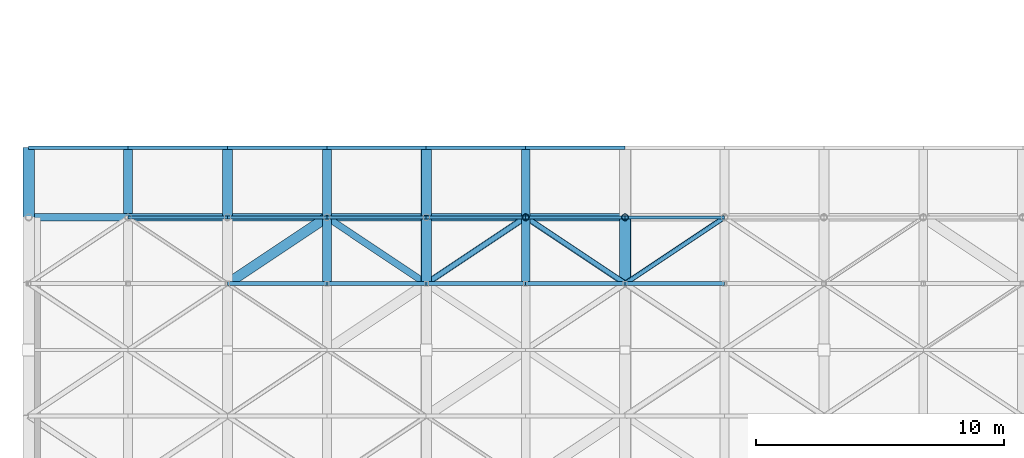
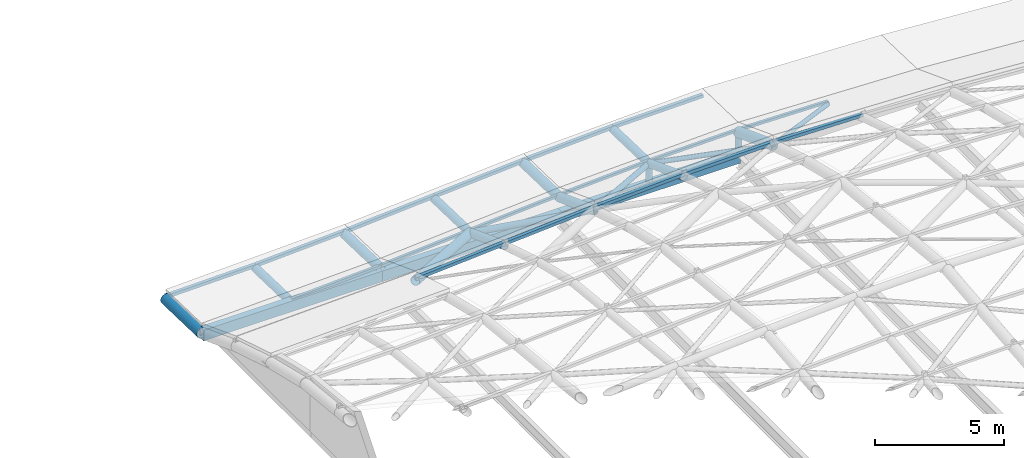
# One storey, part 8 of 20: 24 members, 13 beams.
"""IFC4 building model written with IfcOpenShell, lengths in metres."""

from ifc_helpers import new_model, si_unit, direction, frame, origin, origin_2d, place, context, subcontext, project, spatial, hollow_rectangle, hollow_circle, extrude, material, material_profile, profile_set, type_object, element, save


model = new_model("IFC4")

# Units and contexts
model_context = context("Model", 3, precision=1e-05, world=origin(), true_north=direction((0.0, 1.0)))
body_context = subcontext(model_context, "Body", "Model", "MODEL_VIEW")
ifc_project = project(units=[si_unit("LENGTHUNIT", "METRE"), si_unit("AREAUNIT", "SQUARE_METRE"), si_unit("VOLUMEUNIT", "CUBIC_METRE"), si_unit("PLANEANGLEUNIT", "RADIAN"), si_unit("MASSUNIT", "GRAM", prefix="KILO")], contexts=[model_context])

# Site, building, storey
site_placement = place(None, origin())
site = spatial("IfcSite", under=ifc_project, at=site_placement, CompositionType="ELEMENT")
building_placement = place(site_placement, origin())
building = spatial("IfcBuilding", under=site, at=building_placement, Name="Tenunan Teduh Sports Hall", CompositionType="ELEMENT")
storey_placement = place(building_placement, frame((0.0, 0.0, 23.39990234375)))
storey = spatial("IfcBuildingStorey", under=building, at=storey_placement, Name="RF", CompositionType="ELEMENT", Elevation=23.39990234375)

# Beams
ifc_material_1 = material(Name="Steel S355", Category="steel")
ifc_material_profile_1 = material_profile(ifc_material_1, hollow_circle(Radius=0.177734375, WallThickness=0.012451171875, at=origin_2d()), Name="CHS 355.6x12.5")
ifc_profile_set_1 = profile_set([ifc_material_profile_1], Name="Steel S355")
beam_type_1 = type_object("IfcBeamType", Name="GSB-CHS356", PredefinedType="BEAM", material=ifc_profile_set_1)
beam_1_placement = place(storey_placement, frame((10.0, 46.14990234375, -0.3095703125), z_axis=(0.0, 0.999608075745, -0.027994551361), x_axis=(-1.0, 0.0, 0.0)))
element("IfcBeam", 1, at=beam_1_placement, inside=storey, type_object=beam_type_1, Name="Gridshell Vault Arch BM-GR-04-RF-0294", PredefinedType="BEAM", context=body_context, shape_type="SweptSolid", body=[
    extrude(hollow_circle(Radius=0.177734375, WallThickness=0.012451171875, at=origin_2d()), origin(), (0.0, 0.0, 1.0), 2.651123046875),
])
beam_2_placement = place(storey_placement, frame((18.0, 43.333251953125, 1.1787109375), z_axis=(0.0, 0.935428675248, -0.353515478479), x_axis=(-1.0, 0.0, 0.0)))
element("IfcBeam", 2, at=beam_2_placement, inside=storey, type_object=beam_type_1, Name="Gridshell Vault Arch BM-GR-04-RF-0321", PredefinedType="BEAM", context=body_context, shape_type="SweptSolid", body=[
    extrude(hollow_circle(Radius=0.177734375, WallThickness=0.012451171875, at=origin_2d()), origin(), (0.0, 0.0, 1.0), 2.850830078125),
])
beam_3_placement = place(storey_placement, frame((18.0, 46.0, 0.1708984375), z_axis=(0.0, 0.999610985869, -0.027890445155), x_axis=(-1.0, 0.0, 0.0)))
element("IfcBeam", 3, at=beam_3_placement, inside=storey, type_object=beam_type_1, Name="Gridshell Vault Arch BM-GR-04-RF-0322", PredefinedType="BEAM", context=body_context, shape_type="SweptSolid", body=[
    extrude(hollow_circle(Radius=0.177734375, WallThickness=0.012451171875, at=origin_2d()), origin(), (0.0, 0.0, 1.0), 2.801025390625),
])
beam_4_placement = place(storey_placement, frame((26.0, 43.333251953125, 1.6552734375), z_axis=(0.0, 0.935428675248, -0.353515478479), x_axis=(-1.0, 0.0, 0.0)))
element("IfcBeam", 4, at=beam_4_placement, inside=storey, type_object=beam_type_1, Name="Gridshell Vault Arch BM-GR-04-RF-0349", PredefinedType="BEAM", context=body_context, shape_type="SweptSolid", body=[
    extrude(hollow_circle(Radius=0.177734375, WallThickness=0.012451171875, at=origin_2d()), origin(), (0.0, 0.0, 1.0), 2.850830078125),
])
beam_5_placement = place(storey_placement, frame((26.0, 46.0, 0.6474609375), z_axis=(0.0, 0.999610985869, -0.027890445155), x_axis=(-1.0, 0.0, 0.0)))
element("IfcBeam", 5, at=beam_5_placement, inside=storey, type_object=beam_type_1, Name="Gridshell Vault Arch BM-GR-04-RF-0350", PredefinedType="BEAM", context=body_context, shape_type="SweptSolid", body=[
    extrude(hollow_circle(Radius=0.177734375, WallThickness=0.012451171875, at=origin_2d()), origin(), (0.0, 0.0, 1.0), 2.801025390625),
])
ifc_material_2 = material(Name="Steel S355", Category="steel")
ifc_material_profile_2 = material_profile(ifc_material_2, hollow_circle(Radius=0.203125, WallThickness=0.01611328125, at=origin_2d()), Name="CHS 406.4x16.0")
ifc_profile_set_2 = profile_set([ifc_material_profile_2], Name="Steel S355")
beam_type_2 = type_object("IfcBeamType", Name="GSB-CHS406", PredefinedType="BEAM", material=ifc_profile_set_2)
beam_6_placement = place(storey_placement, frame((14.0, 46.0, -0.1064453125), z_axis=(0.0, 0.999610985869, -0.027890445155), x_axis=(-1.0, 0.0, 0.0)))
element("IfcBeam", 6, at=beam_6_placement, inside=storey, type_object=beam_type_2, Name="Gridshell Vault Arch BM-GA-02-RF-0308", PredefinedType="BEAM", context=body_context, shape_type="SweptSolid", body=[
    extrude(hollow_circle(Radius=0.203125, WallThickness=0.01611328125, at=origin_2d()), origin(), (0.0, 0.0, 1.0), 2.801025390625),
])
beam_7_placement = place(storey_placement, frame((22.0, 43.333251953125, 1.4521484375), z_axis=(0.0, 0.935428675248, -0.353515478479), x_axis=(-1.0, 0.0, 0.0)))
element("IfcBeam", 7, at=beam_7_placement, inside=storey, type_object=beam_type_2, Name="Gridshell Vault Arch BM-GA-02-RF-0335", PredefinedType="BEAM", context=body_context, shape_type="SweptSolid", body=[
    extrude(hollow_circle(Radius=0.203125, WallThickness=0.01611328125, at=origin_2d()), origin(), (0.0, 0.0, 1.0), 2.850830078125),
])
beam_8_placement = place(storey_placement, frame((22.0, 46.0, 0.4443359375), z_axis=(0.0, 0.999610985869, -0.027890445155), x_axis=(-1.0, 0.0, 0.0)))
element("IfcBeam", 8, at=beam_8_placement, inside=storey, type_object=beam_type_2, Name="Gridshell Vault Arch BM-GA-02-RF-0336", PredefinedType="BEAM", context=body_context, shape_type="SweptSolid", body=[
    extrude(hollow_circle(Radius=0.203125, WallThickness=0.01611328125, at=origin_2d()), origin(), (0.0, 0.0, 1.0), 2.801025390625),
])
ifc_material_3 = material(Name="Steel S355", Category="steel")
ifc_material_profile_3 = material_profile(ifc_material_3, hollow_circle(Radius=0.228515625, WallThickness=0.01611328125, at=origin_2d()), Name="CHS 457.0x16.0")
ifc_profile_set_3 = profile_set([ifc_material_profile_3], Name="Steel S355")
beam_type_3 = type_object("IfcBeamType", Name="GSB-CHS457", PredefinedType="BEAM", material=ifc_profile_set_3)
beam_9_placement = place(storey_placement, frame((6.0, 46.0, -0.3798828125), z_axis=(0.0, 0.999610985869, -0.027890445155), x_axis=(-1.0, 0.0, 0.0)))
element("IfcBeam", 9, at=beam_9_placement, inside=storey, type_object=beam_type_3, Name="Gridshell Vault Arch BM-GA-01-RF-0280", PredefinedType="BEAM", context=body_context, shape_type="SweptSolid", body=[
    extrude(hollow_circle(Radius=0.228515625, WallThickness=0.01611328125, at=origin_2d()), origin(), (0.0, 0.0, 1.0), 2.801025390625),
])
beam_10_placement = place(storey_placement, frame((30.0, 43.333251953125, 1.7294921875), z_axis=(0.0, 0.935428675248, -0.353515478479), x_axis=(-1.0, 0.0, 0.0)))
element("IfcBeam", 10, at=beam_10_placement, inside=storey, type_object=beam_type_3, Name="Gridshell Vault Arch BM-GA-01-RF-0363", PredefinedType="BEAM", context=body_context, shape_type="SweptSolid", body=[
    extrude(hollow_circle(Radius=0.228515625, WallThickness=0.01611328125, at=origin_2d()), origin(), (0.0, 0.0, 1.0), 2.850830078125),
])

# Members
ifc_material_4 = material(Name="Steel S355", Category="steel")
ifc_material_profile_4 = material_profile(ifc_material_4, hollow_circle(Radius=0.096923828125, WallThickness=0.008056640625, at=origin_2d()), Name="CHS 193.7x8.0")
ifc_profile_set_4 = profile_set([ifc_material_profile_4], Name="Steel S355")
member_type_1 = type_object("IfcMemberType", Name="MEM-BR-CHS194", PredefinedType="BRACE", material=ifc_profile_set_4)
member_1_placement = place(storey_placement, frame((30.0, 43.333251953125, 1.7294921875), z_axis=(0.811735897602, 0.541173779877, -0.219580901988), x_axis=(-0.554711915519, 0.832042481356, 0.0)))
element("IfcMember", 11, at=member_1_placement, inside=storey, type_object=member_type_1, Name="MEM-GD-03-RF-0698", PredefinedType="BRACE", context=body_context, shape_type="SweptSolid", body=[
    extrude(hollow_circle(Radius=0.096923828125, WallThickness=0.008056640625, at=origin_2d()), origin(), (0.0, 0.0, 1.0), 4.927734375),
])
ifc_material_5 = material(Name="Steel S355", Category="steel")
ifc_material_profile_5 = material_profile(ifc_material_5, hollow_circle(Radius=0.109619140625, WallThickness=0.010009765625, at=origin_2d()), Name="CHS 219.1x10.0")
ifc_profile_set_5 = profile_set([ifc_material_profile_5], Name="Steel S355")
member_type_2 = type_object("IfcMemberType", Name="MEM-BR-CHS219", PredefinedType="BRACE", material=ifc_profile_set_5)
member_2_placement = place(storey_placement, frame((26.0, 46.0, 0.6474609375), z_axis=(0.811735897602, -0.541173779877, 0.219580901988), x_axis=(0.554711915519, 0.832042481356, 0.0)))
element("IfcMember", 12, at=member_2_placement, inside=storey, type_object=member_type_2, Name="MEM-GD-02-RF-0671", PredefinedType="BRACE", context=body_context, shape_type="SweptSolid", body=[
    extrude(hollow_circle(Radius=0.109619140625, WallThickness=0.010009765625, at=origin_2d()), origin(), (0.0, 0.0, 1.0), 4.927734375),
])
ifc_material_6 = material(Name="Steel S355", Category="steel")
ifc_material_profile_6 = material_profile(ifc_material_6, hollow_circle(Radius=0.122314453125, WallThickness=0.010009765625, at=origin_2d()), Name="CHS 244.5x10.0")
ifc_profile_set_6 = profile_set([ifc_material_profile_6], Name="Steel S355")
member_type_3 = type_object("IfcMemberType", Name="MEM-BR-CHS245", PredefinedType="BRACE", material=ifc_profile_set_6)
member_3_placement = place(storey_placement, frame((22.0, 43.333251953125, 1.4521484375), z_axis=(0.820626050019, 0.547100729026, -0.165086881156), x_axis=(-0.554711915519, 0.832042481356, 0.0)))
element("IfcMember", 13, at=member_3_placement, inside=storey, type_object=member_type_3, Name="MEM-GD-01-RF-0644", PredefinedType="BRACE", context=body_context, shape_type="SweptSolid", body=[
    extrude(hollow_circle(Radius=0.122314453125, WallThickness=0.010009765625, at=origin_2d()), origin(), (0.0, 0.0, 1.0), 4.874267578125),
])
ifc_material_7 = material(Name="Steel S355", Category="steel")
ifc_material_profile_7 = material_profile(ifc_material_7, hollow_circle(Radius=0.136474609375, WallThickness=0.010009765625, at=origin_2d()), Name="CHS 273.0x10.0")
ifc_profile_set_7 = profile_set([ifc_material_profile_7], Name="Steel S355")
member_type_4 = type_object("IfcMemberType", Name="MEM-CH-CHS273", PredefinedType="CHORD", material=ifc_profile_set_7)
member_4_placement = place(storey_placement, frame((18.0, 46.0, 0.1708984375), z_axis=(0.803979144991, -0.536002453658, 0.25752456988), x_axis=(0.554711915519, 0.832042481356, 0.0)))
element("IfcMember", 14, at=member_4_placement, inside=storey, type_object=member_type_4, Name="MEM-GC-03-RF-0617", PredefinedType="CHORD", context=body_context, shape_type="SweptSolid", body=[
    extrude(hollow_circle(Radius=0.136474609375, WallThickness=0.010009765625, at=origin_2d()), origin(), (0.0, 0.0, 1.0), 4.975341796875),
])
ifc_material_8 = material(Name="Steel S355", Category="steel")
ifc_material_profile_8 = material_profile(ifc_material_8, hollow_circle(Radius=0.203125, WallThickness=0.012451171875, at=origin_2d()), Name="CHS 406.4x12.5")
ifc_profile_set_8 = profile_set([ifc_material_profile_8], Name="Steel S355")
member_type_5 = type_object("IfcMemberType", Name="MEM-CH-CHS406L", PredefinedType="CHORD", material=ifc_profile_set_8)
member_5_placement = place(storey_placement, frame((14.0, 43.333251953125, 0.9013671875), z_axis=(0.822600824873, 0.548417285772, -0.150221049073), x_axis=(-0.554711915519, 0.832042481356, 0.0)))
element("IfcMember", 15, at=member_5_placement, inside=storey, type_object=member_type_5, Name="MEM-GC-01-RF-0590", PredefinedType="CHORD", context=body_context, shape_type="SweptSolid", body=[
    extrude(hollow_circle(Radius=0.203125, WallThickness=0.012451171875, at=origin_2d()), origin(), (0.0, 0.0, 1.0), 4.862548828125),
])
ifc_material_9 = material(Name="Steel S355", Category="steel")
ifc_material_profile_9 = material_profile(ifc_material_9, hollow_rectangle(XDim=0.1201171875, YDim=0.1201171875, WallThickness=0.00634765625, at=origin_2d()), Name="SHS 120x120x6.3")
ifc_profile_set_9 = profile_set([ifc_material_profile_9], Name="Steel S355")
member_type_6 = type_object("IfcMemberType", Name="MEM-PR-SHS120", PredefinedType="PURLIN", material=ifc_profile_set_9)
member_6_placement = place(storey_placement, frame((10.0, 46.0, -0.185791015625), z_axis=(0.998762049135, 0.0, 0.049743031744), x_axis=(0.0, 1.0, 0.0)))
element("IfcMember", 16, at=member_6_placement, inside=storey, type_object=member_type_6, Name="MEM-PR-02-RF-0550", PredefinedType="PURLIN", context=body_context, shape_type="SweptSolid", body=[
    extrude(hollow_rectangle(XDim=0.1201171875, YDim=0.1201171875, WallThickness=0.00634765625, at=origin_2d()), origin(), (0.0, 0.0, 1.0), 4.0048828125),
])
member_7_placement = place(storey_placement, frame((14.0, 46.0, 0.013427734375), z_axis=(0.99760489623, 0.0, 0.069169870735), x_axis=(0.0, 1.0, 0.0)))
element("IfcMember", 17, at=member_7_placement, inside=storey, type_object=member_type_6, Name="MEM-PR-02-RF-0577", PredefinedType="PURLIN", context=body_context, shape_type="SweptSolid", body=[
    extrude(hollow_rectangle(XDim=0.1201171875, YDim=0.1201171875, WallThickness=0.00634765625, at=origin_2d()), origin(), (0.0, 0.0, 1.0), 4.009521484375),
])
member_8_placement = place(storey_placement, frame((18.0, 46.0, 0.290771484375), z_axis=(0.997671655029, 0.0, 0.068200210793), x_axis=(0.0, 1.0, 0.0)))
element("IfcMember", 18, at=member_8_placement, inside=storey, type_object=member_type_6, Name="MEM-PR-02-RF-0604", PredefinedType="PURLIN", context=body_context, shape_type="SweptSolid", body=[
    extrude(hollow_rectangle(XDim=0.1201171875, YDim=0.1201171875, WallThickness=0.00634765625, at=origin_2d()), origin(), (0.0, 0.0, 1.0), 4.00927734375),
])
member_9_placement = place(storey_placement, frame((22.0, 46.0, 0.564208984375), z_axis=(0.998713120681, 0.0, 0.05071590066), x_axis=(0.0, 1.0, 0.0)))
element("IfcMember", 19, at=member_9_placement, inside=storey, type_object=member_type_6, Name="MEM-PR-02-RF-0631", PredefinedType="PURLIN", context=body_context, shape_type="SweptSolid", body=[
    extrude(hollow_rectangle(XDim=0.1201171875, YDim=0.1201171875, WallThickness=0.00634765625, at=origin_2d()), origin(), (0.0, 0.0, 1.0), 4.005126953125),
])
for number, where, z_axis, x_axis, name in (
    (20, (26.0, 46.0, 0.767333984375), (0.99982790622, 0.0, 0.018551494354), (0.0, 1.0, 0.0), "MEM-PR-02-RF-0658"),
    (21, (30.0, 46.0, 0.841552734375), (0.99982790622, 0.0, -0.018551494354), (0.0, 1.0, 0.0), "MEM-PR-02-RF-0685"),
):
    element("IfcMember", number, at=place(storey_placement, frame(where, z_axis=z_axis, x_axis=x_axis)), inside=storey, type_object=member_type_6, Name=name, PredefinedType="PURLIN", context=body_context, shape_type="SweptSolid", body=[
        extrude(hollow_rectangle(XDim=0.1201171875, YDim=0.1201171875, WallThickness=0.00634765625, at=origin_2d()), origin(), (0.0, 0.0, 1.0), 4.000732421875),
    ])
ifc_material_10 = material(Name="Steel S355", Category="steel")
ifc_material_profile_10 = material_profile(ifc_material_10, hollow_rectangle(XDim=0.14990234375, YDim=0.14990234375, WallThickness=0.008056640625, at=origin_2d()), Name="SHS 150x150x8.0")
ifc_profile_set_10 = profile_set([ifc_material_profile_10], Name="Steel S355")
member_type_7 = type_object("IfcMemberType", Name="MEM-PR-SHS150", PredefinedType="PURLIN", material=ifc_profile_set_10)
member_10_placement = place(storey_placement, frame((6.0, 48.800048828125, -0.338134765625), z_axis=(0.99982790622, 0.0, 0.018551494354), x_axis=(0.0, 1.0, 0.0)))
element("IfcMember", 22, at=member_10_placement, inside=storey, type_object=member_type_7, Name="MEM-PR-01-RF-0524", PredefinedType="PURLIN", context=body_context, shape_type="SweptSolid", body=[
    extrude(hollow_rectangle(XDim=0.14990234375, YDim=0.14990234375, WallThickness=0.008056640625, at=origin_2d()), origin(), (0.0, 0.0, 1.0), 4.000732421875),
])
member_11_placement = place(storey_placement, frame((10.0, 48.800048828125, -0.263916015625), z_axis=(0.998762049135, 0.0, 0.049743031744), x_axis=(0.0, 1.0, 0.0)))
element("IfcMember", 23, at=member_11_placement, inside=storey, type_object=member_type_7, Name="MEM-PR-01-RF-0551", PredefinedType="PURLIN", context=body_context, shape_type="SweptSolid", body=[
    extrude(hollow_rectangle(XDim=0.14990234375, YDim=0.14990234375, WallThickness=0.008056640625, at=origin_2d()), origin(), (0.0, 0.0, 1.0), 4.0048828125),
])
for number, where, z_axis, x_axis, name in (
    (24, (14.0, 43.333251953125, 1.021240234375), (0.99760489623, 0.0, 0.069169870735), (0.0, 1.0, 0.0), "MEM-PR-01-RF-0576"),
    (25, (14.0, 48.800048828125, -0.064697265625), (0.99760489623, 0.0, 0.069169870735), (0.0, 1.0, 0.0), "MEM-PR-01-RF-0578"),
):
    element("IfcMember", number, at=place(storey_placement, frame(where, z_axis=z_axis, x_axis=x_axis)), inside=storey, type_object=member_type_7, Name=name, PredefinedType="PURLIN", context=body_context, shape_type="SweptSolid", body=[
        extrude(hollow_rectangle(XDim=0.14990234375, YDim=0.14990234375, WallThickness=0.008056640625, at=origin_2d()), origin(), (0.0, 0.0, 1.0), 4.009521484375),
    ])
for number, where, z_axis, x_axis, name in (
    (26, (18.0, 43.333251953125, 1.298583984375), (0.997671655029, 0.0, 0.068200210793), (0.0, 1.0, 0.0), "MEM-PR-01-RF-0603"),
    (27, (18.0, 48.800048828125, 0.212646484375), (0.997671655029, 0.0, 0.068200210793), (0.0, 1.0, 0.0), "MEM-PR-01-RF-0605"),
):
    element("IfcMember", number, at=place(storey_placement, frame(where, z_axis=z_axis, x_axis=x_axis)), inside=storey, type_object=member_type_7, Name=name, PredefinedType="PURLIN", context=body_context, shape_type="SweptSolid", body=[
        extrude(hollow_rectangle(XDim=0.14990234375, YDim=0.14990234375, WallThickness=0.008056640625, at=origin_2d()), origin(), (0.0, 0.0, 1.0), 4.00927734375),
    ])
for number, where, z_axis, x_axis, name in (
    (28, (22.0, 43.333251953125, 1.572021484375), (0.998713120681, 0.0, 0.05071590066), (0.0, 1.0, 0.0), "MEM-PR-01-RF-0630"),
    (29, (22.0, 48.800048828125, 0.486083984375), (0.998713120681, 0.0, 0.05071590066), (0.0, 1.0, 0.0), "MEM-PR-01-RF-0632"),
):
    element("IfcMember", number, at=place(storey_placement, frame(where, z_axis=z_axis, x_axis=x_axis)), inside=storey, type_object=member_type_7, Name=name, PredefinedType="PURLIN", context=body_context, shape_type="SweptSolid", body=[
        extrude(hollow_rectangle(XDim=0.14990234375, YDim=0.14990234375, WallThickness=0.008056640625, at=origin_2d()), origin(), (0.0, 0.0, 1.0), 4.005126953125),
    ])
for number, where, z_axis, x_axis, name in (
    (30, (26.0, 43.333251953125, 1.775146484375), (0.99982790622, 0.0, 0.018551494354), (0.0, 1.0, 0.0), "MEM-PR-01-RF-0657"),
    (31, (26.0, 48.800048828125, 0.689208984375), (0.99982790622, 0.0, 0.018551494354), (0.0, 1.0, 0.0), "MEM-PR-01-RF-0659"),
    (32, (30.0, 43.333251953125, 1.849365234375), (0.99982790622, 0.0, -0.018551494354), (0.0, 1.0, 0.0), "MEM-PR-01-RF-0684"),
):
    element("IfcMember", number, at=place(storey_placement, frame(where, z_axis=z_axis, x_axis=x_axis)), inside=storey, type_object=member_type_7, Name=name, PredefinedType="PURLIN", context=body_context, shape_type="SweptSolid", body=[
        extrude(hollow_rectangle(XDim=0.14990234375, YDim=0.14990234375, WallThickness=0.008056640625, at=origin_2d()), origin(), (0.0, 0.0, 1.0), 4.000732421875),
    ])
ifc_material_11 = material(Name="Steel S355", Category="steel")
ifc_material_profile_11 = material_profile(ifc_material_11, hollow_circle(Radius=0.136474609375, WallThickness=0.010009765625, at=origin_2d()), Name="CHS 273.0x10.0")
ifc_profile_set_11 = profile_set([ifc_material_profile_11], Name="Steel S355")
member_type_8 = type_object("IfcMemberType", Name="MEM-ST-CHS273", PredefinedType="STRUT", material=ifc_profile_set_11)
member_12_placement = place(storey_placement, frame((26.0, 46.0, -0.349853515625), z_axis=(0.0, 0.0, 1.0), x_axis=(1.0, 0.0, 0.0)))
element("IfcMember", 33, at=member_12_placement, inside=storey, type_object=member_type_8, Name="MEM-VS-04-RF-0449", PredefinedType="STRUT", context=body_context, shape_type="SweptSolid", body=[
    extrude(hollow_circle(Radius=0.136474609375, WallThickness=0.010009765625, at=origin_2d()), origin(), (0.0, 0.0, 1.0), 0.997314453125),
])
member_13_placement = place(storey_placement, frame((30.0, 46.0, -0.349853515625), z_axis=(0.0, 0.0, 1.0), x_axis=(1.0, 0.0, 0.0)))
element("IfcMember", 34, at=member_13_placement, inside=storey, type_object=member_type_8, Name="MEM-VS-04-RF-0457", PredefinedType="STRUT", context=body_context, shape_type="SweptSolid", body=[
    extrude(hollow_circle(Radius=0.136474609375, WallThickness=0.010009765625, at=origin_2d()), origin(), (0.0, 0.0, 1.0), 1.071533203125),
])

# Beams
ifc_material_12 = material(Name="Steel S355", Category="steel")
ifc_material_profile_12 = material_profile(ifc_material_12, hollow_rectangle(XDim=0.300048828125, YDim=0.5, WallThickness=0.01611328125, at=origin_2d()), Name="RHS 500x300x16.0")
ifc_profile_set_12 = profile_set([ifc_material_profile_12], Name="Steel S355")
beam_type_4 = type_object("IfcBeamType", Name="RBM-RHS500", PredefinedType="SPANDREL", material=ifc_profile_set_12)
for number, where, z_axis, x_axis, name in (
    (35, (6.0, 46.0, -0.409912109375), (1.0, 0.0, 0.0), (0.0, 1.0, 0.0), "Perimeter Ring Beam BM-RB-01-RF-0243"),
    (36, (14.0, 46.0, -0.409912109375), (1.0, 0.0, 0.0), (0.0, 1.0, 0.0), "Perimeter Ring Beam BM-RB-01-RF-0245"),
    (37, (22.0, 46.0, -0.409912109375), (1.0, 0.0, 0.0), (0.0, 1.0, 0.0), "Perimeter Ring Beam BM-RB-01-RF-0247"),
):
    element("IfcBeam", number, at=place(storey_placement, frame(where, z_axis=z_axis, x_axis=x_axis)), inside=storey, type_object=beam_type_4, Name=name, PredefinedType="SPANDREL", context=body_context, shape_type="SweptSolid", body=[
        extrude(hollow_rectangle(XDim=0.300048828125, YDim=0.5, WallThickness=0.01611328125, at=origin_2d()), origin(), (0.0, 0.0, 1.0), 8.0),
    ])

save(model, "model.ifc")
